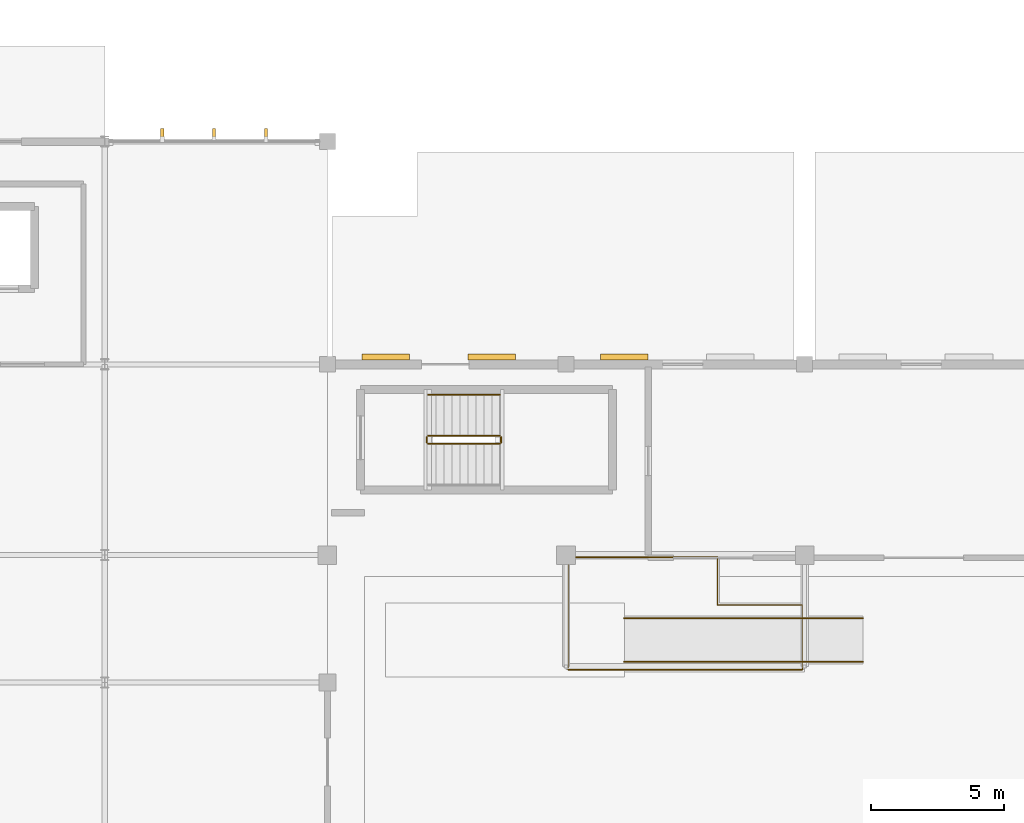
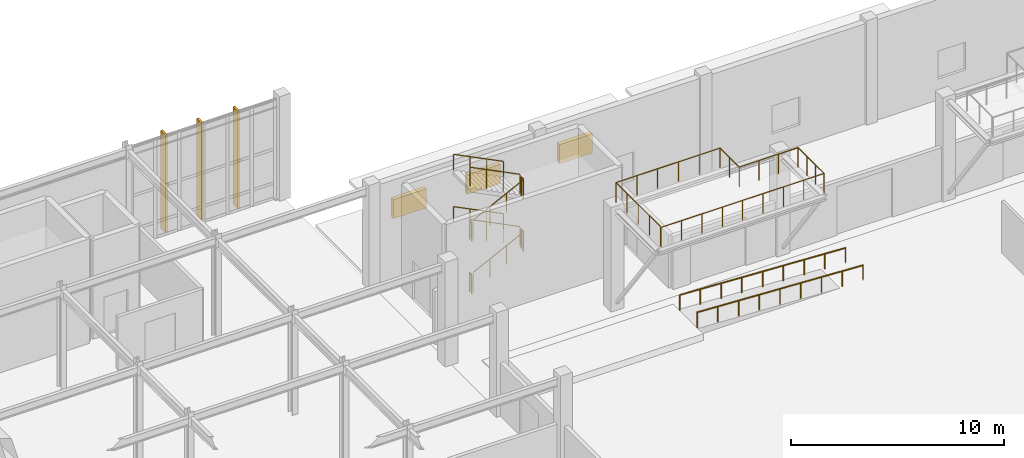
# One storey, part 104 of 110: 13 railings, 3 coverings, 3 shading devices.
"""IFC4 building model written with IfcOpenShell, lengths in metres."""

from ifc_helpers import new_model, si_unit, direction, frame, origin, origin_2d, place, context, subcontext, project, spatial, rectangle, circle, extrude, material, layer, layer_set, type_object, element, save


model = new_model("IFC4")

# Units and contexts
model_context = context("Model", 3, precision=1e-05, world=origin(), true_north=direction((0.0, 1.0)))
body_context = subcontext(model_context, "Body", "Model", "MODEL_VIEW")
ifc_project = project(units=[si_unit("LENGTHUNIT", "METRE"), si_unit("AREAUNIT", "SQUARE_METRE"), si_unit("VOLUMEUNIT", "CUBIC_METRE"), si_unit("PLANEANGLEUNIT", "RADIAN"), si_unit("MASSUNIT", "GRAM", prefix="KILO")], contexts=[model_context])

# Site, building, storey
site_placement = place(None, origin())
site = spatial("IfcSite", under=ifc_project, at=site_placement, CompositionType="ELEMENT")
building_placement = place(site_placement, origin())
building = spatial("IfcBuilding", under=site, at=building_placement, Name="Tizgana Railside Sports Hall", CompositionType="ELEMENT")
storey_placement = place(building_placement, origin())
storey = spatial("IfcBuildingStorey", under=building, at=storey_placement, Name="L00", CompositionType="ELEMENT", Elevation=0.0)

# Coverings
ifc_material_1 = material(Name="Glulam GL28h", Category="wood")
ifc_layer = layer(ifc_material_1, 0.139892578125, Name="Glulam GL28h")
ifc_layer_set = layer_set([ifc_layer], Name="Glulam GL28h")
covering_type = type_object("IfcCoveringType", Name="Mass-Timber Brise-Soleil & Pergola Fin", PredefinedType="CLADDING", material=ifc_layer_set)
for number, where, z_axis, x_axis, name in (
    (1, (73.56494140625, 89.080078125, 0.0849609375), (0.0, 0.0, 1.0), (1.0, 0.0, 0.0), "L00 Timber Brise-Soleil Fin"),
    (2, (75.52490234375, 89.080078125, 0.0849609375), (0.0, 0.0, 1.0), (1.0, 0.0, 0.0), "L00 Timber Brise-Soleil Fin"),
    (3, (77.485107421875, 89.080078125, 0.0849609375), (0.0, 0.0, 1.0), (1.0, 0.0, 0.0), "L00 Timber Brise-Soleil Fin"),
):
    element("IfcCovering", number, at=place(storey_placement, frame(where, z_axis=z_axis, x_axis=x_axis)), inside=storey, type_object=covering_type, Name=name, PredefinedType="CLADDING", context=body_context, shape_type="SweptSolid", body=[
        extrude(rectangle(XDim=0.1201171875, YDim=0.43994140625, at=origin_2d()), origin(), (0.0, 0.0, 1.0), 5.60498046875),
    ])

# Shading devices
ifc_material_2 = material(Name="Anodised aluminium", Category="aluminium")
shading_device_type = type_object("IfcShadingDeviceType", Name="Plant Acoustic Weather Louvre", PredefinedType="JALOUSIE", material=ifc_material_2)
for number, where, z_axis, x_axis, name in (
    (4, (82.0, 80.679931640625, 3.25), (0.0, 0.0, 1.0), (1.0, 0.0, 0.0), "L00 Plant Louvre LVR-0001"),
    (5, (86.0, 80.679931640625, 3.25), (0.0, 0.0, 1.0), (1.0, 0.0, 0.0), "L00 Plant Louvre LVR-0002"),
    (6, (91.0, 80.679931640625, 3.25), (0.0, 0.0, 1.0), (1.0, 0.0, 0.0), "L00 Plant Louvre LVR-0003"),
):
    element("IfcShadingDevice", number, at=place(storey_placement, frame(where, z_axis=z_axis, x_axis=x_axis)), inside=storey, type_object=shading_device_type, Name=name, PredefinedType="JALOUSIE", context=body_context, shape_type="SweptSolid", body=[
        extrude(rectangle(XDim=1.800048828125, YDim=0.219970703125, at=origin_2d()), origin(), (0.0, 0.0, 1.0), 1.10009765625),
    ])

# Railings
ifc_material_3 = material(Name="Galvanised steel sheet", Category="steel")
railing_type_1 = type_object("IfcRailingType", Name="Safety Balustrade Guard 1100", PredefinedType="BALUSTRADE", material=ifc_material_3)
railing_1_placement = place(storey_placement, frame((83.60009765625, 77.39990234375, 0.14990234375)))
element("IfcRailing", 7, at=railing_1_placement, inside=storey, type_object=railing_type_1, Name="L00 ST-08 stair guard 1", PredefinedType="BALUSTRADE", context=body_context, shape_type="SweptSolid", body=[
    extrude(circle(Radius=0.02392578125, at=origin_2d()), frame((0.0, 0.0, 1.076171875), z_axis=(0.894411015155, 0.0, 0.447245945728), x_axis=(0.0, 1.0, 0.0)), (0.0, 0.0, 1.0), 3.018798828125),
    extrude(circle(Radius=0.02099609375, at=origin_2d()), origin(), (0.0, 0.0, 1.0), 1.052001953125),
    extrude(circle(Radius=0.02099609375, at=origin_2d()), frame((0.89990234375, 0.0, 0.449951171875)), (0.0, 0.0, 1.0), 1.052001953125),
    extrude(circle(Radius=0.02099609375, at=origin_2d()), frame((1.800048828125, 0.0, 0.900146484375)), (0.0, 0.0, 1.0), 1.052001953125),
    extrude(circle(Radius=0.02099609375, at=origin_2d()), frame((2.699951171875, 0.0, 1.35009765625)), (0.0, 0.0, 1.0), 1.052001953125),
])
railing_2_placement = place(storey_placement, frame((86.35009765625, 77.449951171875, 1.5)))
element("IfcRailing", 8, at=railing_2_placement, inside=storey, type_object=railing_type_1, Name="L00 ST-08 stair guard 2", PredefinedType="BALUSTRADE", context=body_context, shape_type="SweptSolid", body=[
    extrude(circle(Radius=0.02392578125, at=origin_2d()), frame((0.0, 0.0, 1.076171875), z_axis=(0.0, 1.0, 0.0), x_axis=(-1.0, 0.0, 0.0)), (0.0, 0.0, 1.0), 0.199951171875),
    extrude(circle(Radius=0.02099609375, at=origin_2d()), origin(), (0.0, 0.0, 1.0), 1.052001953125),
    extrude(circle(Radius=0.02099609375, at=origin_2d()), frame((0.0, 0.199951171875, 0.0)), (0.0, 0.0, 1.0), 1.052001953125),
])
railing_3_placement = place(storey_placement, frame((86.300048828125, 77.699951171875, 1.64990234375)))
element("IfcRailing", 9, at=railing_3_placement, inside=storey, type_object=railing_type_1, Name="L00 ST-08 stair guard 3", PredefinedType="BALUSTRADE", context=body_context, shape_type="SweptSolid", body=[
    extrude(circle(Radius=0.02392578125, at=origin_2d()), frame((0.0, 0.0, 1.076171875), z_axis=(-0.894411015155, 0.0, 0.447245945728), x_axis=(0.0, -1.0, 0.0)), (0.0, 0.0, 1.0), 3.018798828125),
    extrude(circle(Radius=0.02099609375, at=origin_2d()), origin(), (0.0, 0.0, 1.0), 1.052001953125),
    extrude(circle(Radius=0.02099609375, at=origin_2d()), frame((-0.89990234375, 0.0, 0.449951171875)), (0.0, 0.0, 1.0), 1.052001953125),
    extrude(circle(Radius=0.02099609375, at=origin_2d()), frame((-1.800048828125, 0.0, 0.900146484375)), (0.0, 0.0, 1.0), 1.052001953125),
    extrude(circle(Radius=0.02099609375, at=origin_2d()), frame((-2.699951171875, 0.0, 1.35009765625)), (0.0, 0.0, 1.0), 1.052001953125),
])
railing_4_placement = place(storey_placement, frame((83.550048828125, 77.449951171875, 3.0)))
element("IfcRailing", 10, at=railing_4_placement, inside=storey, type_object=railing_type_1, Name="L00 ST-08 stair guard 4", PredefinedType="BALUSTRADE", context=body_context, shape_type="SweptSolid", body=[
    extrude(circle(Radius=0.02392578125, at=origin_2d()), frame((0.0, 0.0, 1.076171875), z_axis=(0.0, 1.0, 0.0), x_axis=(-1.0, 0.0, 0.0)), (0.0, 0.0, 1.0), 0.199951171875),
    extrude(circle(Radius=0.02099609375, at=origin_2d()), origin(), (0.0, 0.0, 1.0), 1.052001953125),
    extrude(circle(Radius=0.02099609375, at=origin_2d()), frame((0.0, 0.199951171875, 0.0)), (0.0, 0.0, 1.0), 1.052001953125),
])
railing_5_placement = place(storey_placement, frame((83.60009765625, 77.39990234375, 3.14990234375)))
element("IfcRailing", 11, at=railing_5_placement, inside=storey, type_object=railing_type_1, Name="L00 ST-08 stair guard 5", PredefinedType="BALUSTRADE", context=body_context, shape_type="SweptSolid", body=[
    extrude(circle(Radius=0.02392578125, at=origin_2d()), frame((0.0, 0.0, 1.076171875), z_axis=(0.894411015155, 0.0, 0.447245945728), x_axis=(0.0, 1.0, 0.0)), (0.0, 0.0, 1.0), 3.018798828125),
    extrude(circle(Radius=0.02099609375, at=origin_2d()), origin(), (0.0, 0.0, 1.0), 1.052001953125),
    extrude(circle(Radius=0.02099609375, at=origin_2d()), frame((0.89990234375, 0.0, 0.449951171875)), (0.0, 0.0, 1.0), 1.052001953125),
    extrude(circle(Radius=0.02099609375, at=origin_2d()), frame((1.800048828125, 0.0, 0.900146484375)), (0.0, 0.0, 1.0), 1.052001953125),
    extrude(circle(Radius=0.02099609375, at=origin_2d()), frame((2.699951171875, 0.0, 1.35009765625)), (0.0, 0.0, 1.0), 1.052001953125),
])
railing_6_placement = place(storey_placement, frame((86.35009765625, 77.449951171875, 4.5)))
element("IfcRailing", 12, at=railing_6_placement, inside=storey, type_object=railing_type_1, Name="L00 ST-08 stair guard 6", PredefinedType="BALUSTRADE", context=body_context, shape_type="SweptSolid", body=[
    extrude(circle(Radius=0.02392578125, at=origin_2d()), frame((0.0, 0.0, 1.076171875), z_axis=(0.0, 1.0, 0.0), x_axis=(-1.0, 0.0, 0.0)), (0.0, 0.0, 1.0), 0.199951171875),
    extrude(circle(Radius=0.02099609375, at=origin_2d()), origin(), (0.0, 0.0, 1.0), 1.052001953125),
    extrude(circle(Radius=0.02099609375, at=origin_2d()), frame((0.0, 0.199951171875, 0.0)), (0.0, 0.0, 1.0), 1.052001953125),
])
railing_7_placement = place(storey_placement, frame((86.300048828125, 77.699951171875, 4.64990234375)))
element("IfcRailing", 13, at=railing_7_placement, inside=storey, type_object=railing_type_1, Name="L00 ST-08 stair guard 7", PredefinedType="BALUSTRADE", context=body_context, shape_type="SweptSolid", body=[
    extrude(circle(Radius=0.02392578125, at=origin_2d()), frame((0.0, 0.0, 1.076171875), z_axis=(-0.894411015155, 0.0, 0.447245945728), x_axis=(0.0, -1.0, 0.0)), (0.0, 0.0, 1.0), 3.018798828125),
    extrude(circle(Radius=0.02099609375, at=origin_2d()), origin(), (0.0, 0.0, 1.0), 1.052001953125),
    extrude(circle(Radius=0.02099609375, at=origin_2d()), frame((-0.89990234375, 0.0, 0.449951171875)), (0.0, 0.0, 1.0), 1.052001953125),
    extrude(circle(Radius=0.02099609375, at=origin_2d()), frame((-1.800048828125, 0.0, 0.900146484375)), (0.0, 0.0, 1.0), 1.052001953125),
    extrude(circle(Radius=0.02099609375, at=origin_2d()), frame((-2.699951171875, 0.0, 1.35009765625)), (0.0, 0.0, 1.0), 1.052001953125),
])
railing_8_placement = place(storey_placement, frame((83.550048828125, 77.449951171875, 0.0)))
element("IfcRailing", 14, at=railing_8_placement, inside=storey, type_object=railing_type_1, Name="L00 ST-08 stair guard 8", PredefinedType="BALUSTRADE", context=body_context, shape_type="SweptSolid", body=[
    extrude(circle(Radius=0.02392578125, at=origin_2d()), frame((0.0, 0.0, 1.076171875), z_axis=(0.0, 1.0, 0.0), x_axis=(-1.0, 0.0, 0.0)), (0.0, 0.0, 1.0), 0.199951171875),
    extrude(circle(Radius=0.02099609375, at=origin_2d()), origin(), (0.0, 0.0, 1.0), 1.052001953125),
    extrude(circle(Radius=0.02099609375, at=origin_2d()), frame((0.0, 0.199951171875, 0.0)), (0.0, 0.0, 1.0), 1.052001953125),
])
ifc_material_4 = material(Name="Brushed stainless steel", Category="steel")
railing_type_2 = type_object("IfcRailingType", Name="Stair & Ramp Wall Handrail 900", PredefinedType="HANDRAIL", material=ifc_material_4)
for number, where, name in (
    (15, (86.300048828125, 79.25, 1.64990234375), "L00 ST-08 stair handrail 2"),
    (16, (86.300048828125, 79.25, 4.64990234375), "L00 ST-08 stair handrail 4"),
):
    element("IfcRailing", number, at=place(storey_placement, frame(where)), inside=storey, type_object=railing_type_2, Name=name, PredefinedType="HANDRAIL", context=body_context, shape_type="SweptSolid", body=[
        extrude(circle(Radius=0.02392578125, at=origin_2d()), frame((0.0, 0.0, 0.8759765625), z_axis=(-0.894411015155, 0.0, 0.447245945728), x_axis=(0.0, -1.0, 0.0)), (0.0, 0.0, 1.0), 3.018798828125),
        extrude(circle(Radius=0.02099609375, at=origin_2d()), origin(), (0.0, 0.0, 1.0), 0.851806640625),
        extrude(circle(Radius=0.02099609375, at=origin_2d()), frame((-0.89990234375, 0.0, 0.449951171875)), (0.0, 0.0, 1.0), 0.851806640625),
        extrude(circle(Radius=0.02099609375, at=origin_2d()), frame((-1.800048828125, 0.0, 0.900146484375)), (0.0, 0.0, 1.0), 0.851806640625),
        extrude(circle(Radius=0.02099609375, at=origin_2d()), frame((-2.699951171875, 0.0, 1.35009765625)), (0.0, 0.0, 1.0), 0.851806640625),
    ])
for number, where, name in (
    (17, (100.0, 69.179931640625, 0.0), "L00 Ramp Handrail RHR-0001"),
    (18, (100.0, 70.820068359375, 0.0), "L00 Ramp Handrail RHR-0002"),
):
    element("IfcRailing", number, at=place(storey_placement, frame(where)), inside=storey, type_object=railing_type_2, Name=name, PredefinedType="HANDRAIL", context=body_context, shape_type="SweptSolid", body=[
        extrude(circle(Radius=0.02392578125, at=origin_2d()), frame((0.0, 0.0, 0.8759765625), z_axis=(-0.998752609117, 0.0, 0.049932211876), x_axis=(0.0, -1.0, 0.0)), (0.0, 0.0, 1.0), 9.01123046875),
        extrude(circle(Radius=0.02099609375, at=origin_2d()), origin(), (0.0, 0.0, 1.0), 0.851806640625),
        extrude(circle(Radius=0.02099609375, at=origin_2d()), frame((-1.125, 0.0, 0.05615234375)), (0.0, 0.0, 1.0), 0.851806640625),
        extrude(circle(Radius=0.02099609375, at=origin_2d()), frame((-2.25, 0.0, 0.112548828125)), (0.0, 0.0, 1.0), 0.851806640625),
        extrude(circle(Radius=0.02099609375, at=origin_2d()), frame((-3.375, 0.0, 0.168701171875)), (0.0, 0.0, 1.0), 0.851806640625),
        extrude(circle(Radius=0.02099609375, at=origin_2d()), frame((-4.5, 0.0, 0.22509765625)), (0.0, 0.0, 1.0), 0.851806640625),
        extrude(circle(Radius=0.02099609375, at=origin_2d()), frame((-5.625, 0.0, 0.28125)), (0.0, 0.0, 1.0), 0.851806640625),
        extrude(circle(Radius=0.02099609375, at=origin_2d()), frame((-6.75, 0.0, 0.33740234375)), (0.0, 0.0, 1.0), 0.851806640625),
        extrude(circle(Radius=0.02099609375, at=origin_2d()), frame((-7.875, 0.0, 0.393798828125)), (0.0, 0.0, 1.0), 0.851806640625),
        extrude(circle(Radius=0.02099609375, at=origin_2d()), frame((-9.0, 0.0, 0.449951171875)), (0.0, 0.0, 1.0), 0.851806640625),
    ])
railing_type_3 = type_object("IfcRailingType", Name="Terrace & Track Guard 1150", PredefinedType="BALUSTRADE", material=ifc_material_2)
railing_9_placement = place(storey_placement, frame((88.8798828125, 68.8798828125, 6.0)))
element("IfcRailing", 19, at=railing_9_placement, inside=storey, type_object=railing_type_3, Name="L00 V2 Court2 Catwalk NW Guard", PredefinedType="BALUSTRADE", context=body_context, shape_type="SweptSolid", body=[
    extrude(circle(Radius=0.02392578125, at=origin_2d()), frame((0.0, 0.0, 1.1259765625), z_axis=(1.0, 0.0, 0.0), x_axis=(0.0, 1.0, 0.0)), (0.0, 0.0, 1.0), 8.840087890625),
    extrude(circle(Radius=0.02392578125, at=origin_2d()), frame((8.840087890625, 0.0, 1.1259765625), z_axis=(0.0, 1.0, 0.0), x_axis=(-1.0, 0.0, 0.0)), (0.0, 0.0, 1.0), 2.440185546875),
    extrude(circle(Radius=0.02392578125, at=origin_2d()), frame((8.840087890625, 2.440185546875, 1.1259765625), z_axis=(-1.0, 0.0, 0.0), x_axis=(0.0, -1.0, 0.0)), (0.0, 0.0, 1.0), 3.199951171875),
    extrude(circle(Radius=0.02392578125, at=origin_2d()), frame((5.64013671875, 2.440185546875, 1.1259765625), z_axis=(0.0, 1.0, 0.0), x_axis=(-1.0, 0.0, 0.0)), (0.0, 0.0, 1.0), 1.800048828125),
    extrude(circle(Radius=0.02392578125, at=origin_2d()), frame((5.64013671875, 4.240234375, 1.1259765625), z_axis=(-1.0, 0.0, 0.0), x_axis=(0.0, -1.0, 0.0)), (0.0, 0.0, 1.0), 5.64013671875),
    extrude(circle(Radius=0.02392578125, at=origin_2d()), frame((0.0, 4.240234375, 1.1259765625), z_axis=(0.0, -1.0, 0.0), x_axis=(1.0, 0.0, 0.0)), (0.0, 0.0, 1.0), 4.16015625),
    extrude(circle(Radius=0.02099609375, at=origin_2d()), origin(), (0.0, 0.0, 1.0), 1.101806640625),
    extrude(circle(Radius=0.02099609375, at=origin_2d()), frame((1.10498046875, 0.0, 0.0)), (0.0, 0.0, 1.0), 1.101806640625),
    extrude(circle(Radius=0.02099609375, at=origin_2d()), frame((2.2099609375, 0.0, 0.0)), (0.0, 0.0, 1.0), 1.101806640625),
    extrude(circle(Radius=0.02099609375, at=origin_2d()), frame((3.31494140625, 0.0, 0.0)), (0.0, 0.0, 1.0), 1.101806640625),
    extrude(circle(Radius=0.02099609375, at=origin_2d()), frame((4.419921875, 0.0, 0.0)), (0.0, 0.0, 1.0), 1.101806640625),
    extrude(circle(Radius=0.02099609375, at=origin_2d()), frame((5.525146484375, 0.0, 0.0)), (0.0, 0.0, 1.0), 1.101806640625),
    extrude(circle(Radius=0.02099609375, at=origin_2d()), frame((6.630126953125, 0.0, 0.0)), (0.0, 0.0, 1.0), 1.101806640625),
    extrude(circle(Radius=0.02099609375, at=origin_2d()), frame((7.735107421875, 0.0, 0.0)), (0.0, 0.0, 1.0), 1.101806640625),
    extrude(circle(Radius=0.02099609375, at=origin_2d()), frame((8.840087890625, 0.0, 0.0)), (0.0, 0.0, 1.0), 1.101806640625),
    extrude(circle(Radius=0.02099609375, at=origin_2d()), frame((8.840087890625, 0.8134765625, 0.0)), (0.0, 0.0, 1.0), 1.101806640625),
    extrude(circle(Radius=0.02099609375, at=origin_2d()), frame((8.840087890625, 1.626708984375, 0.0)), (0.0, 0.0, 1.0), 1.101806640625),
    extrude(circle(Radius=0.02099609375, at=origin_2d()), frame((8.840087890625, 2.440185546875, 0.0)), (0.0, 0.0, 1.0), 1.101806640625),
    extrude(circle(Radius=0.02099609375, at=origin_2d()), frame((7.7734375, 2.440185546875, 0.0)), (0.0, 0.0, 1.0), 1.101806640625),
    extrude(circle(Radius=0.02099609375, at=origin_2d()), frame((6.706787109375, 2.440185546875, 0.0)), (0.0, 0.0, 1.0), 1.101806640625),
    extrude(circle(Radius=0.02099609375, at=origin_2d()), frame((5.64013671875, 2.440185546875, 0.0)), (0.0, 0.0, 1.0), 1.101806640625),
    extrude(circle(Radius=0.02099609375, at=origin_2d()), frame((5.64013671875, 3.34033203125, 0.0)), (0.0, 0.0, 1.0), 1.101806640625),
    extrude(circle(Radius=0.02099609375, at=origin_2d()), frame((5.64013671875, 4.240234375, 0.0)), (0.0, 0.0, 1.0), 1.101806640625),
    extrude(circle(Radius=0.02099609375, at=origin_2d()), frame((4.51220703125, 4.240234375, 0.0)), (0.0, 0.0, 1.0), 1.101806640625),
    extrude(circle(Radius=0.02099609375, at=origin_2d()), frame((3.384033203125, 4.240234375, 0.0)), (0.0, 0.0, 1.0), 1.101806640625),
    extrude(circle(Radius=0.02099609375, at=origin_2d()), frame((2.256103515625, 4.240234375, 0.0)), (0.0, 0.0, 1.0), 1.101806640625),
    extrude(circle(Radius=0.02099609375, at=origin_2d()), frame((1.1279296875, 4.240234375, 0.0)), (0.0, 0.0, 1.0), 1.101806640625),
    extrude(circle(Radius=0.02099609375, at=origin_2d()), frame((0.0, 4.240234375, 0.0)), (0.0, 0.0, 1.0), 1.101806640625),
    extrude(circle(Radius=0.02099609375, at=origin_2d()), frame((0.0, 3.2001953125, 0.0)), (0.0, 0.0, 1.0), 1.101806640625),
    extrude(circle(Radius=0.02099609375, at=origin_2d()), frame((0.0, 2.16015625, 0.0)), (0.0, 0.0, 1.0), 1.101806640625),
    extrude(circle(Radius=0.02099609375, at=origin_2d()), frame((0.0, 1.1201171875, 0.0)), (0.0, 0.0, 1.0), 1.101806640625),
    extrude(circle(Radius=0.02099609375, at=origin_2d()), frame((0.0, 0.080078125, 0.0)), (0.0, 0.0, 1.0), 1.101806640625),
])

save(model, "model.ifc")
